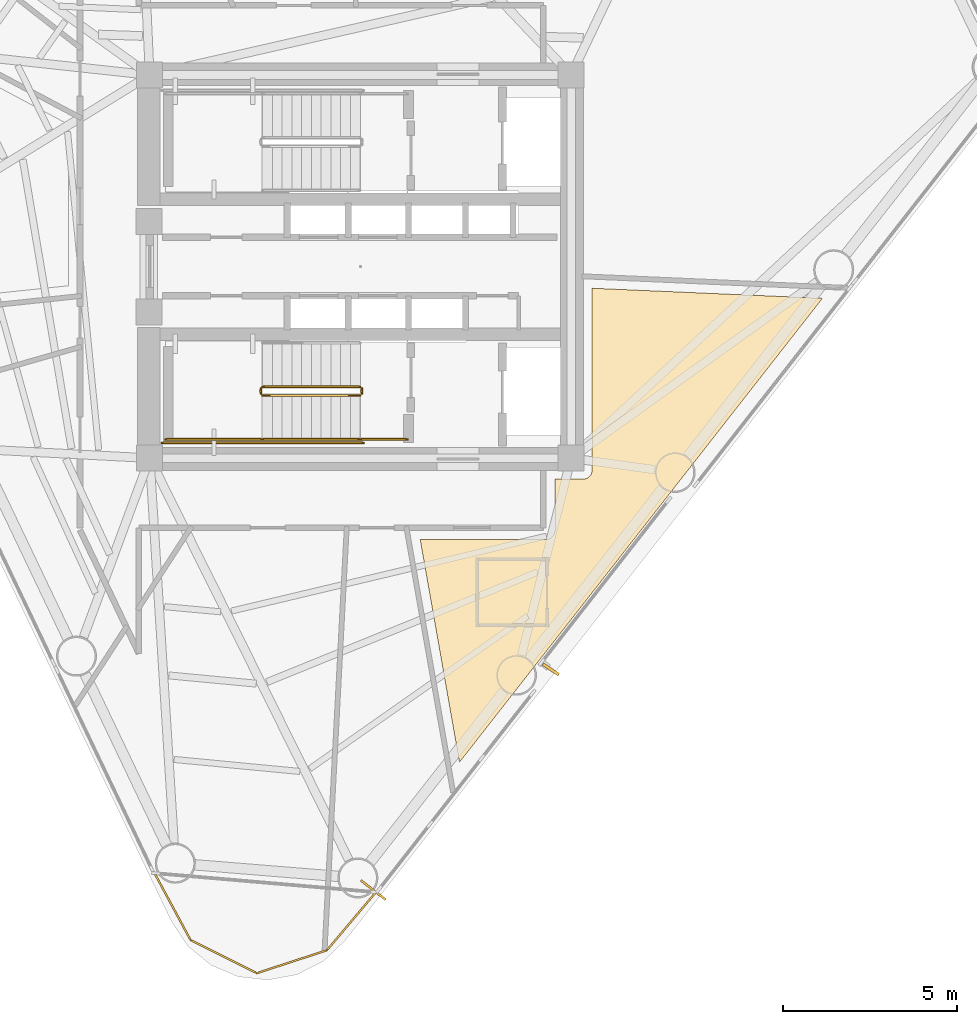
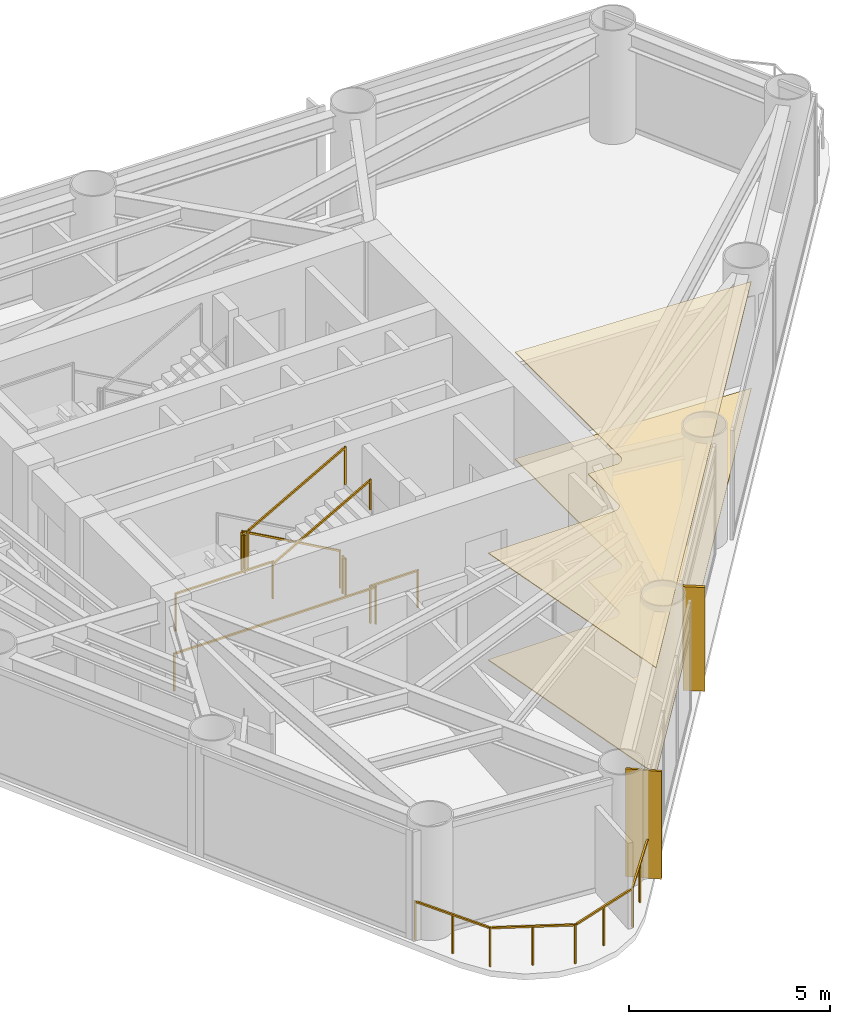
# One storey, part 7 of 10: 9 railings, 3 coverings, 1 shading device.
"""IFC4 building model written with IfcOpenShell, lengths in metres."""

from ifc_helpers import new_model, si_unit, direction, frame, origin, origin_2d, place, context, subcontext, project, spatial, polyline, rectangle, outline, extrude, source, transform, mapped, material, layer, layer_set, material_profile, profile_set, type_object, element, save


model = new_model("IFC4")

# Units and contexts
model_context = context("Model", 3, precision=1e-05, world=origin(), true_north=direction((0.0, 1.0)))
body_context = subcontext(model_context, "Body", "Model", "MODEL_VIEW")
ifc_project = project(units=[si_unit("LENGTHUNIT", "METRE"), si_unit("AREAUNIT", "SQUARE_METRE"), si_unit("VOLUMEUNIT", "CUBIC_METRE"), si_unit("PLANEANGLEUNIT", "RADIAN"), si_unit("MASSUNIT", "GRAM", prefix="KILO")], contexts=[model_context])

# Site, building, storey
site_placement = place(None, origin())
site = spatial("IfcSite", under=ifc_project, at=site_placement, CompositionType="ELEMENT")
building_placement = place(site_placement, origin())
building = spatial("IfcBuilding", under=site, at=building_placement, Name="Yunling Apex Tower", CompositionType="ELEMENT")
storey_placement = place(building_placement, frame((0.0, 0.0, 191.449951171875)))
storey = spatial("IfcBuildingStorey", under=building, at=storey_placement, Name="L46", CompositionType="ELEMENT", Elevation=191.449951171875)

# Coverings
ifc_material_1 = material(Name="Acoustic mineral fibre ceiling")
ifc_layer_1 = layer(ifc_material_1, 0.02490234375)
ifc_layer_set_1 = layer_set([ifc_layer_1], Name="Acoustic mineral fibre ceiling")
covering_type_1 = type_object("IfcCoveringType", Name="CV-CLG-1", PredefinedType="CEILING", material=ifc_layer_set_1)
covering_1_placement = place(storey_placement, frame((0.0, 0.0, 3.2451171875)))
element("IfcCovering", 1, at=covering_1_placement, inside=storey, type_object=covering_type_1, Name="CV-CL-SP-L46-GR05", PredefinedType="CEILING", context=body_context, shape_type="SweptSolid", body=[
    extrude(outline(polyline([(2.843994140625, -14.229736328125), (1.7158203125, -7.830078125), (5.333740234375, -7.830078125), (5.35498046875, -7.829345703125), (5.380615234375, -7.824951171875), (5.402587890625, -7.819580078125), (5.4248046875, -7.8115234375), (5.4482421875, -7.80078125), (5.469970703125, -7.787353515625), (5.48876953125, -7.7734375), (5.5068359375, -7.7568359375), (5.5234375, -7.73876953125), (5.537353515625, -7.719970703125), (5.55078125, -7.6982421875), (5.5615234375, -7.6748046875), (5.569580078125, -7.652587890625), (5.574951171875, -7.630615234375), (5.579345703125, -7.60498046875), (5.580078125, -7.583740234375), (5.580078125, -6.10009765625), (6.40380859375, -6.10009765625), (6.4248046875, -6.099365234375), (6.45068359375, -6.094970703125), (6.472412109375, -6.089599609375), (6.494873046875, -6.08154296875), (6.518310546875, -6.07080078125), (6.5400390625, -6.057373046875), (6.55859375, -6.04345703125), (6.576904296875, -6.02685546875), (6.593505859375, -6.0087890625), (6.607421875, -5.989990234375), (6.62060546875, -5.96826171875), (6.631591796875, -5.94482421875), (6.639404296875, -5.922607421875), (6.64501953125, -5.900634765625), (6.6494140625, -5.875), (6.64990234375, -5.853759765625), (6.64990234375, -0.62060546875), (13.26611328125, -0.909423828125), (2.843994140625, -14.229736328125)])), origin(), (0.0, 0.0, 1.0), 0.02490234375),
])
ifc_material_2 = material(Name="Polished granite stone", Category="masonry")
ifc_layer_2 = layer(ifc_material_2, 0.030029296875)
ifc_layer_set_2 = layer_set([ifc_layer_2], Name="Polished granite stone")
covering_type_2 = type_object("IfcCoveringType", Name="CV-FLR-1", PredefinedType="FLOORING", material=ifc_layer_set_2)
covering_2_placement = place(storey_placement, origin())
element("IfcCovering", 2, at=covering_2_placement, inside=storey, type_object=covering_type_2, Name="CV-FL-SP-L46-GR05", PredefinedType="FLOORING", context=body_context, shape_type="SweptSolid", body=[
    extrude(outline(polyline([(2.843994140625, -14.229736328125), (1.7158203125, -7.830078125), (5.333740234375, -7.830078125), (5.35498046875, -7.829345703125), (5.380615234375, -7.824951171875), (5.402587890625, -7.819580078125), (5.4248046875, -7.8115234375), (5.4482421875, -7.80078125), (5.469970703125, -7.787353515625), (5.48876953125, -7.7734375), (5.5068359375, -7.7568359375), (5.5234375, -7.73876953125), (5.537353515625, -7.719970703125), (5.55078125, -7.6982421875), (5.5615234375, -7.6748046875), (5.569580078125, -7.652587890625), (5.574951171875, -7.630615234375), (5.579345703125, -7.60498046875), (5.580078125, -7.583740234375), (5.580078125, -6.10009765625), (6.40380859375, -6.10009765625), (6.4248046875, -6.099365234375), (6.45068359375, -6.094970703125), (6.472412109375, -6.089599609375), (6.494873046875, -6.08154296875), (6.518310546875, -6.07080078125), (6.5400390625, -6.057373046875), (6.55859375, -6.04345703125), (6.576904296875, -6.02685546875), (6.593505859375, -6.0087890625), (6.607421875, -5.989990234375), (6.62060546875, -5.96826171875), (6.631591796875, -5.94482421875), (6.639404296875, -5.922607421875), (6.64501953125, -5.900634765625), (6.6494140625, -5.875), (6.64990234375, -5.853759765625), (6.64990234375, -0.62060546875), (13.26611328125, -0.909423828125), (2.843994140625, -14.229736328125)])), origin(), (0.0, 0.0, 1.0), 0.030029296875),
])

# Railings
ifc_material_3 = material(Name="Bronze anodised aluminium", Category="aluminium")
railing_type_1 = type_object("IfcRailingType", Name="RL-BAL-1200", PredefinedType="BALUSTRADE", material=ifc_material_3)
railing_1_placement = place(storey_placement, frame((0.4462890625, -17.9599609375, 0.0)))
element("IfcRailing", 3, at=railing_1_placement, inside=storey, type_object=railing_type_1, Name="RL-CRNSILL-L46-3", PredefinedType="BALUSTRADE", context=body_context, shape_type="SweptSolid", body=[
    extrude(rectangle(XDim=0.0439453125, YDim=0.0439453125, at=origin_2d()), origin(), (0.0, 0.0, 1.0), 1.199951171875),
    extrude(rectangle(XDim=0.0439453125, YDim=0.0439453125, at=origin_2d()), frame((-1.408447265625, -1.669189453125, 0.0)), (0.0, 0.0, 1.0), 1.199951171875),
    extrude(rectangle(XDim=0.050048828125, YDim=0.050048828125, at=origin_2d()), frame((-0.024658203125, -0.029296875, 1.1748046875), z_axis=(-0.644889304204, -0.764275987666, 0.0), x_axis=(0.764275987666, -0.644889304204, 0.0)), (0.0, 0.0, 1.0), 2.107421875),
    extrude(rectangle(XDim=0.0439453125, YDim=0.0439453125, at=origin_2d()), frame((-0.7041015625, -0.83447265625, 0.0)), (0.0, 0.0, 1.0), 1.14599609375),
    extrude(rectangle(XDim=0.0439453125, YDim=0.0439453125, at=origin_2d()), frame((-3.421875, -2.326416015625, 0.0)), (0.0, 0.0, 1.0), 1.199951171875),
    extrude(rectangle(XDim=0.050048828125, YDim=0.050048828125, at=origin_2d()), frame((-1.44482421875, -1.68115234375, 1.1748046875), z_axis=(-0.950635994022, -0.310308244926, 0.0), x_axis=(0.310308244926, -0.950635994022, 0.0)), (0.0, 0.0, 1.0), 2.041259765625),
    extrude(rectangle(XDim=0.0439453125, YDim=0.0439453125, at=origin_2d()), frame((-2.4150390625, -1.997802734375, 0.0)), (0.0, 0.0, 1.0), 1.14599609375),
    extrude(rectangle(XDim=0.0439453125, YDim=0.0439453125, at=origin_2d()), frame((-5.32275390625, -1.376708984375, 0.0)), (0.0, 0.0, 1.0), 1.199951171875),
    extrude(rectangle(XDim=0.050048828125, YDim=0.050048828125, at=origin_2d()), frame((-3.4560546875, -2.309326171875, 1.1748046875), z_axis=(-0.894565021347, 0.446937828543, 0.0), x_axis=(-0.446937828543, -0.894565021347, 0.0)), (0.0, 0.0, 1.0), 2.04833984375),
    extrude(rectangle(XDim=0.0439453125, YDim=0.0439453125, at=origin_2d()), frame((-4.372314453125, -1.8515625, 0.0)), (0.0, 0.0, 1.0), 1.14599609375),
    extrude(rectangle(XDim=0.0439453125, YDim=0.0439453125, at=origin_2d()), frame((-6.35791015625, 0.545654296875, 0.0)), (0.0, 0.0, 1.0), 1.199951171875),
    extrude(rectangle(XDim=0.050048828125, YDim=0.050048828125, at=origin_2d()), frame((-5.3408203125, -1.343017578125, 1.1748046875), z_axis=(-0.474113159208, 0.880463918775, 0.0), x_axis=(-0.880463918775, -0.474113159208, 0.0)), (0.0, 0.0, 1.0), 2.106689453125),
    extrude(rectangle(XDim=0.0439453125, YDim=0.0439453125, at=origin_2d()), frame((-5.84033203125, -0.41552734375, 0.0)), (0.0, 0.0, 1.0), 1.14599609375),
])
ifc_material_4 = material(Name="Steel Q355B", Category="steel")
railing_type_2 = type_object("IfcRailingType", Name="RL-GRD-1150", PredefinedType="GUARDRAIL", material=ifc_material_4)
railing_2_placement = place(storey_placement, frame((-0.010009765625, -3.449951171875, 0.156982421875)))
element("IfcRailing", 4, at=railing_2_placement, inside=storey, type_object=railing_type_2, Name="L46 ST-2 stair guard 1", PredefinedType="GUARDRAIL", context=body_context, shape_type="SweptSolid", body=[
    extrude(rectangle(XDim=0.0439453125, YDim=0.0439453125, at=origin_2d()), origin(), (0.0, 0.0, 1.0), 1.14990234375),
    extrude(rectangle(XDim=0.0439453125, YDim=0.0439453125, at=origin_2d()), frame((-2.800048828125, 0.0, 1.568115234375)), (0.0, 0.0, 1.0), 1.14990234375),
    extrude(rectangle(XDim=0.050048828125, YDim=0.050048828125, at=origin_2d()), frame((-0.033447265625, 0.0, 1.1435546875), z_axis=(-0.872494340497, 0.0, 0.48862421737), x_axis=(0.0, -1.0, 0.0)), (0.0, 0.0, 1.0), 3.132568359375),
])
railing_3_placement = place(storey_placement, frame((-2.860107421875, -3.5, 1.72509765625)))
element("IfcRailing", 5, at=railing_3_placement, inside=storey, type_object=railing_type_2, Name="L46 ST-2 stair guard 2", PredefinedType="GUARDRAIL", context=body_context, shape_type="SweptSolid", body=[
    extrude(rectangle(XDim=0.0439453125, YDim=0.0439453125, at=origin_2d()), origin(), (0.0, 0.0, 1.0), 1.14990234375),
    extrude(rectangle(XDim=0.0439453125, YDim=0.0439453125, at=origin_2d()), frame((0.0, -0.14990234375, 0.0)), (0.0, 0.0, 1.0), 1.14990234375),
    extrude(rectangle(XDim=0.050048828125, YDim=0.050048828125, at=origin_2d()), frame((0.0, -0.038330078125, 1.125), z_axis=(0.0, -1.0, 0.0), x_axis=(1.0, 0.0, 0.0)), (0.0, 0.0, 1.0), 0.0732421875),
])
railing_4_placement = place(storey_placement, frame((-2.81005859375, -4.9599609375, 1.72509765625)))
element("IfcRailing", 6, at=railing_4_placement, inside=storey, type_object=railing_type_2, Name="L46 ST-2 stair guard 3", PredefinedType="GUARDRAIL", context=body_context, shape_type="SweptSolid", body=[
    extrude(rectangle(XDim=0.0439453125, YDim=0.0439453125, at=origin_2d()), origin(), (0.0, 0.0, 1.0), 1.14990234375),
    extrude(rectangle(XDim=0.0439453125, YDim=0.0439453125, at=origin_2d()), frame((-2.7900390625, 0.0, 0.0)), (0.0, 0.0, 1.0), 1.14990234375),
    extrude(rectangle(XDim=0.050048828125, YDim=0.050048828125, at=origin_2d()), frame((-0.038330078125, 0.0, 1.125), z_axis=(-1.0, 0.0, 0.0), x_axis=(0.0, -1.0, 0.0)), (0.0, 0.0, 1.0), 2.71337890625),
])
railing_5_placement = place(storey_placement, frame((-2.81005859375, -3.699951171875, 1.8818359375)))
element("IfcRailing", 7, at=railing_5_placement, inside=storey, type_object=railing_type_2, Name="L46 ST-2 stair guard 4", PredefinedType="GUARDRAIL", context=body_context, shape_type="SweptSolid", body=[
    extrude(rectangle(XDim=0.0439453125, YDim=0.0439453125, at=origin_2d()), origin(), (0.0, 0.0, 1.0), 1.14990234375),
    extrude(rectangle(XDim=0.0439453125, YDim=0.0439453125, at=origin_2d()), frame((2.800048828125, 0.0, 1.568115234375)), (0.0, 0.0, 1.0), 1.14990234375),
    extrude(rectangle(XDim=0.050048828125, YDim=0.050048828125, at=origin_2d()), frame((0.033447265625, 0.0, 1.1435546875), z_axis=(0.872494340497, 0.0, 0.48862421737), x_axis=(0.0, 1.0, 0.0)), (0.0, 0.0, 1.0), 3.132568359375),
])
railing_6_placement = place(storey_placement, frame((0.0400390625, -3.5, 0.0)))
element("IfcRailing", 8, at=railing_6_placement, inside=storey, type_object=railing_type_2, Name="L46 ST-2 stair guard 5", PredefinedType="GUARDRAIL", context=body_context, shape_type="SweptSolid", body=[
    extrude(rectangle(XDim=0.0439453125, YDim=0.0439453125, at=origin_2d()), origin(), (0.0, 0.0, 1.0), 1.14990234375),
    extrude(rectangle(XDim=0.0439453125, YDim=0.0439453125, at=origin_2d()), frame((0.0, -0.14990234375, 0.0)), (0.0, 0.0, 1.0), 1.14990234375),
    extrude(rectangle(XDim=0.050048828125, YDim=0.050048828125, at=origin_2d()), frame((0.0, -0.038330078125, 1.125), z_axis=(0.0, -1.0, 0.0), x_axis=(1.0, 0.0, 0.0)), (0.0, 0.0, 1.0), 0.0732421875),
])
railing_7_placement = place(storey_placement, frame((1.35009765625, -4.9599609375, 0.0)))
element("IfcRailing", 9, at=railing_7_placement, inside=storey, type_object=railing_type_2, Name="L46 ST-2 stair guard 6", PredefinedType="GUARDRAIL", context=body_context, shape_type="SweptSolid", body=[
    extrude(rectangle(XDim=0.0439453125, YDim=0.0439453125, at=origin_2d()), origin(), (0.0, 0.0, 1.0), 1.14990234375),
    extrude(rectangle(XDim=0.0439453125, YDim=0.0439453125, at=origin_2d()), frame((-1.360107421875, 0.0, 0.0)), (0.0, 0.0, 1.0), 1.14990234375),
    extrude(rectangle(XDim=0.050048828125, YDim=0.050048828125, at=origin_2d()), frame((-0.038330078125, 0.0, 1.125), z_axis=(-1.0, 0.0, 0.0), x_axis=(0.0, -1.0, 0.0)), (0.0, 0.0, 1.0), 1.283447265625),
])
railing_8_placement = place(storey_placement, frame((0.090087890625, -5.06005859375, 0.0)))
element("IfcRailing", 10, at=railing_8_placement, inside=storey, type_object=railing_type_2, Name="L46 ST-2 stair guard 7", PredefinedType="GUARDRAIL", context=body_context, shape_type="SweptSolid", body=[
    extrude(rectangle(XDim=0.0439453125, YDim=0.0439453125, at=origin_2d()), origin(), (0.0, 0.0, 1.0), 1.14990234375),
    extrude(rectangle(XDim=0.0439453125, YDim=0.0439453125, at=origin_2d()), frame((-5.7900390625, 0.0, 0.0)), (0.0, 0.0, 1.0), 1.14990234375),
    extrude(rectangle(XDim=0.050048828125, YDim=0.050048828125, at=origin_2d()), frame((-0.038330078125, 0.0, 1.125), z_axis=(-1.0, 0.0, 0.0), x_axis=(0.0, -1.0, 0.0)), (0.0, 0.0, 1.0), 5.71337890625),
])
ifc_material_5 = material(Name="Silver anodised aluminium", Category="aluminium")
railing_type_3 = type_object("IfcRailingType", Name="RL-HND-900", PredefinedType="HANDRAIL", material=ifc_material_5)
railing_9_placement = place(storey_placement, frame((-2.81005859375, -4.9599609375, 1.8818359375)))
element("IfcRailing", 11, at=railing_9_placement, inside=storey, type_object=railing_type_3, Name="L46 ST-2 stair handrail 2", PredefinedType="HANDRAIL", context=body_context, shape_type="SweptSolid", body=[
    extrude(rectangle(XDim=0.0439453125, YDim=0.0439453125, at=origin_2d()), origin(), (0.0, 0.0, 1.0), 0.919921875),
    extrude(rectangle(XDim=0.0439453125, YDim=0.0439453125, at=origin_2d()), frame((2.800048828125, 0.0, 1.568115234375)), (0.0, 0.0, 1.0), 0.919921875),
    extrude(rectangle(XDim=0.050048828125, YDim=0.050048828125, at=origin_2d()), frame((0.033447265625, 0.0, 0.91357421875), z_axis=(0.872494340497, 0.0, 0.48862421737), x_axis=(0.0, 1.0, 0.0)), (0.0, 0.0, 1.0), 3.132568359375),
])

# Covering
ifc_layer_3 = layer(ifc_material_3, 0.0400390625)
ifc_layer_set_3 = layer_set([ifc_layer_3], Name="Bronze anodised aluminium")
covering_type_3 = type_object("IfcCoveringType", Name="CV-CLD-1", PredefinedType="CLADDING", material=ifc_layer_set_3)
shared_shape_1 = source(origin(), body_context, "Body", "SweptSolid", [
    extrude(rectangle(XDim=0.06005859375, YDim=0.89990234375, at=origin_2d()), origin(), (0.0, 0.0, 1.0), 3.27001953125),
])
covering_3_placement = place(storey_placement, frame((0.367431640625, -17.898193359375, 0.0), z_axis=(0.0, 0.0, 1.0), x_axis=(0.616211460536, 0.787580748815, 0.0)))
element("IfcCovering", 12, at=covering_3_placement, inside=storey, type_object=covering_type_3, Name="CV-CLD-L46", PredefinedType="CLADDING", context=body_context, shape_type="MappedRepresentation", body=[
    mapped(shared_shape_1, transform((0.0, 0.0, 0.0), scale=1.0)),
])

# Shading device
ifc_material_profile = material_profile(ifc_material_3, rectangle(XDim=0.0849609375, YDim=0.550048828125, at=origin_2d()))
ifc_profile_set = profile_set([ifc_material_profile], Name="Bronze anodised aluminium")
shading_device_type = type_object("IfcShadingDeviceType", Name="FN-BRZ-3", PredefinedType="USERDEFINED", material=ifc_profile_set)
shared_shape_2 = source(origin(), body_context, "Body", "SweptSolid", [
    extrude(rectangle(XDim=0.0849609375, YDim=0.550048828125, at=origin_2d()), origin(), (0.0, 0.0, 1.0), 3.14990234375),
])
shading_device_placement = place(storey_placement, frame((5.468505859375, -11.565185546875, 0.06005859375), z_axis=(0.0, 0.0, 1.0), x_axis=(0.563381859003, 0.826196635763, 0.0)))
element("IfcShadingDevice", 13, at=shading_device_placement, inside=storey, type_object=shading_device_type, Name="CW-L46-F1-B2-FIN-01", ObjectType="FIN", PredefinedType="USERDEFINED", context=body_context, shape_type="MappedRepresentation", body=[
    mapped(shared_shape_2, transform((0.0, 0.0, 0.0), scale=1.0)),
])

save(model, "model.ifc")
